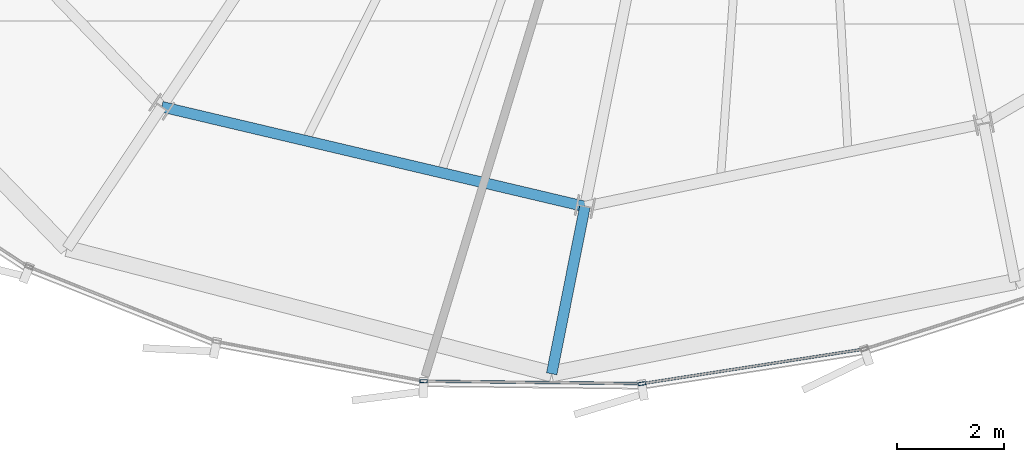
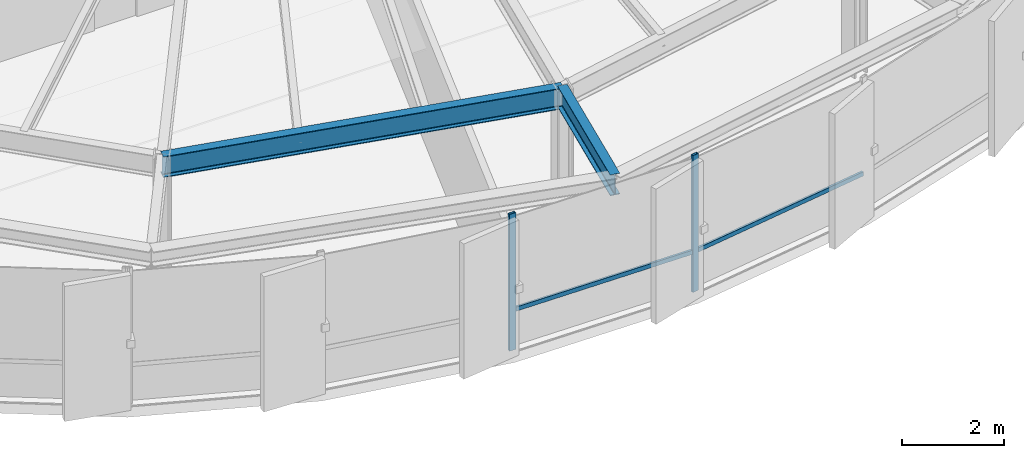
# One storey, part 6 of 34: 4 members, 2 beams, 1 element without a shape of its own.
"""IFC4 building model written with IfcOpenShell, lengths in metres."""

from ifc_helpers import new_model, si_unit, direction, frame, origin, origin_2d, place, context, subcontext, project, spatial, hollow_rectangle, i_section, extrude, source, transform, mapped, material, layer, layer_set, material_profile, profile_set, type_object, element, aggregate, save


model = new_model("IFC4")

# Units and contexts
model_context = context("Model", 3, precision=1e-05, world=origin(), true_north=direction((0.0, 1.0)))
body_context = subcontext(model_context, "Body", "Model", "MODEL_VIEW")
ifc_project = project(units=[si_unit("LENGTHUNIT", "METRE"), si_unit("AREAUNIT", "SQUARE_METRE"), si_unit("VOLUMEUNIT", "CUBIC_METRE"), si_unit("PLANEANGLEUNIT", "RADIAN"), si_unit("MASSUNIT", "GRAM", prefix="KILO"), si_unit("THERMODYNAMICTEMPERATUREUNIT", "KELVIN")], contexts=[model_context])

# Site, building, storey
site_placement = place(None, origin())
site = spatial("IfcSite", under=ifc_project, at=site_placement, CompositionType="ELEMENT")
building_placement = place(site_placement, origin())
building = spatial("IfcBuilding", under=site, at=building_placement, Name="Kethvar Cultural Tower", CompositionType="ELEMENT")
storey_placement = place(building_placement, frame((0.0, 0.0, 190.39990234375)))
storey = spatial("IfcBuildingStorey", under=building, at=storey_placement, Name="L49", CompositionType="ELEMENT", Elevation=190.39990234375)

# Beams
ifc_material_1 = material(Name="Steel S355J2", Category="steel")
ifc_material_profile_1 = material_profile(ifc_material_1, i_section(OverallWidth=0.199951171875, OverallDepth=0.5, WebThickness=0.01025390625, FlangeThickness=0.01611328125, FilletRadius=0.02099609375, at=origin_2d()), Name="Steel S355J2 — IPE500")
ifc_profile_set_1 = profile_set([ifc_material_profile_1], Name="Steel S355J2 — IPE500")
beam_type = type_object("IfcBeamType", Name="BM-IPE500", PredefinedType="BEAM", material=ifc_profile_set_1)
shared_shape_1 = source(origin(), body_context, "Body", "SweptSolid", [
    extrude(i_section(OverallWidth=0.199951171875, OverallDepth=0.5, WebThickness=0.01025390625, FlangeThickness=0.01611328125, FilletRadius=0.02099609375, at=origin_2d()), origin(), (0.0, 0.0, 1.0), 3.199951171875),
])
beam_1_placement = place(storey_placement, frame((42.903564453125, 8.2109375, 3.008056640625), z_axis=(-0.195088965533, -0.980785550224, 0.0), x_axis=(0.980785550224, -0.195088965533, 0.0)))
element("IfcBeam", 1, at=beam_1_placement, inside=storey, type_object=beam_type, Name="L49 Perimeter Cantilever Beam RC-12", PredefinedType="BEAM", context=body_context, shape_type="MappedRepresentation", body=[
    mapped(shared_shape_1, transform((0.0, 0.0, 0.0), scale=1.0)),
])
shared_shape_2 = source(origin(), body_context, "Body", "SweptSolid", [
    extrude(i_section(OverallWidth=0.199951171875, OverallDepth=0.5, WebThickness=0.01025390625, FlangeThickness=0.01611328125, FilletRadius=0.02099609375, at=origin_2d()), origin(), (0.0, 0.0, 1.0), 8.158935546875),
])
beam_2_placement = place(storey_placement, frame((34.962646484375, 10.084228515625, 3.008056640625), z_axis=(0.973284754953, -0.229601362748, 0.0), x_axis=(0.229601362748, 0.973284754953, 0.0)))
element("IfcBeam", 2, at=beam_2_placement, inside=storey, type_object=beam_type, Name="L49 Column Ring Tie Beam CR-11", PredefinedType="BEAM", context=body_context, shape_type="MappedRepresentation", body=[
    mapped(shared_shape_2, transform((0.0, 0.0, 0.0), scale=1.0)),
])

# Curtain wall, members
ifc_material_2 = material(Name="Aluminium 6063-T6", Category="aluminium")
ifc_layer = layer(ifc_material_2, 0.179931640625, Name="Aluminium 6063-T6", Category="aluminium")
ifc_layer_set = layer_set([ifc_layer], Name="Aluminium 6063-T6 (180 mm)")
curtain_wall_type = type_object("IfcCurtainWallType", Name="CW-SYS-04-Z34", PredefinedType="NOTDEFINED", material=ifc_layer_set)
curtain_wall_placement = place(storey_placement, origin())
curtain_wall = element("IfcCurtainWall", 3, at=curtain_wall_placement, inside=storey, type_object=curtain_wall_type, Name="L49 Curtain Wall Run 05", PredefinedType="NOTDEFINED")
ifc_material_profile_2 = material_profile(ifc_material_2, hollow_rectangle(XDim=0.06005859375, YDim=0.139892578125, WallThickness=0.0048828125, at=origin_2d()), Name="Aluminium 6063-T6 — RHS140x60x5")
ifc_profile_set_2 = profile_set([ifc_material_profile_2], Name="Aluminium 6063-T6 — RHS140x60x5")
member_type_1 = type_object("IfcMemberType", Name="CW-SYS-04-Z34-MUL", PredefinedType="MULLION", material=ifc_profile_set_2)
shared_shape_3 = source(origin(), body_context, "Body", "SweptSolid", [
    extrude(hollow_rectangle(XDim=0.06005859375, YDim=0.139892578125, WallThickness=0.0048828125, at=origin_2d()), origin(), (0.0, 0.0, 1.0), 3.260009765625),
])
member_1_placement = place(storey_placement, frame((39.87451171875, 4.934814453125, 0.0), z_axis=(0.0, 0.0, 1.0), x_axis=(0.011239683717, 0.99993683276, 0.0)))
member_1 = element("IfcMember", 4, at=member_1_placement, type_object=member_type_1, Name="CW-L49-R05 Mullion 3", PredefinedType="MULLION", context=body_context, shape_type="MappedRepresentation", body=[
    mapped(shared_shape_3, transform((0.0, 0.0, 0.0), scale=1.0)),
])
member_2_placement = place(storey_placement, frame((43.9697265625, 4.88720703125, 0.0), z_axis=(0.0, 0.0, 1.0), x_axis=(-0.153727450208, 0.988113288572, 0.0)))
member_2 = element("IfcMember", 5, at=member_2_placement, type_object=member_type_1, Name="CW-L49-R05 Mullion 4", PredefinedType="MULLION", context=body_context, shape_type="MappedRepresentation", body=[
    mapped(shared_shape_3, transform((0.0, 0.0, 0.0), scale=1.0)),
])
ifc_material_profile_3 = material_profile(ifc_material_2, hollow_rectangle(XDim=0.050048828125, YDim=0.10009765625, WallThickness=0.00390625, at=origin_2d()), Name="Aluminium 6063-T6 — RHS100x50x4")
ifc_profile_set_3 = profile_set([ifc_material_profile_3], Name="Aluminium 6063-T6 — RHS100x50x4")
member_type_2 = type_object("IfcMemberType", Name="CW-SYS-04-Z34-TRN", PredefinedType="USERDEFINED", material=ifc_profile_set_3)
shared_shape_4 = source(origin(), body_context, "Body", "SweptSolid", [
    extrude(hollow_rectangle(XDim=0.050048828125, YDim=0.10009765625, WallThickness=0.00390625, at=origin_2d()), origin(), (0.0, 0.0, 1.0), 4.027099609375),
])
member_3_placement = place(storey_placement, frame((39.917724609375, 4.93408203125, 0.9501953125), z_axis=(0.999937104365, -0.01121549438, 0.0), x_axis=(0.01121549438, 0.999937104365, 0.0)))
member_3 = element("IfcMember", 6, at=member_3_placement, type_object=member_type_2, Name="CW-L49-R05 Transom 3", ObjectType="TRANSOM", PredefinedType="USERDEFINED", context=body_context, shape_type="MappedRepresentation", body=[
    mapped(shared_shape_4, transform((0.0, 0.0, 0.0), scale=1.0)),
])
shared_shape_5 = source(origin(), body_context, "Body", "SweptSolid", [
    extrude(hollow_rectangle(XDim=0.050048828125, YDim=0.10009765625, WallThickness=0.00390625, at=origin_2d()), origin(), (0.0, 0.0, 1.0), 4.162841796875),
])
member_4_placement = place(storey_placement, frame((44.012451171875, 4.893798828125, 0.9501953125), z_axis=(0.988114687368, 0.153718458903, 0.0), x_axis=(-0.153718458903, 0.988114687368, 0.0)))
member_4 = element("IfcMember", 7, at=member_4_placement, type_object=member_type_2, Name="CW-L49-R05 Transom 4", ObjectType="TRANSOM", PredefinedType="USERDEFINED", context=body_context, shape_type="MappedRepresentation", body=[
    mapped(shared_shape_5, transform((0.0, 0.0, 0.0), scale=1.0)),
])
aggregate(curtain_wall, [member_1, member_2, member_3, member_4])

save(model, "model.ifc")
